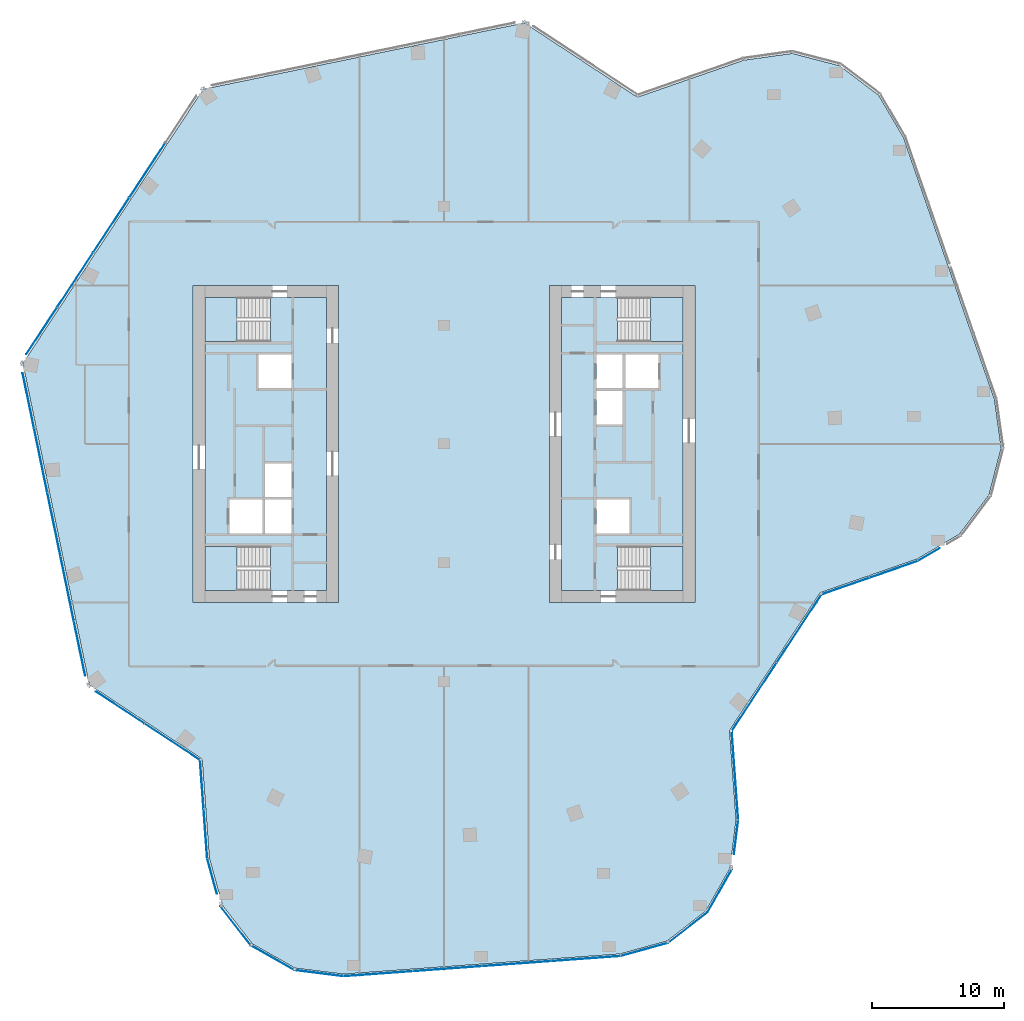
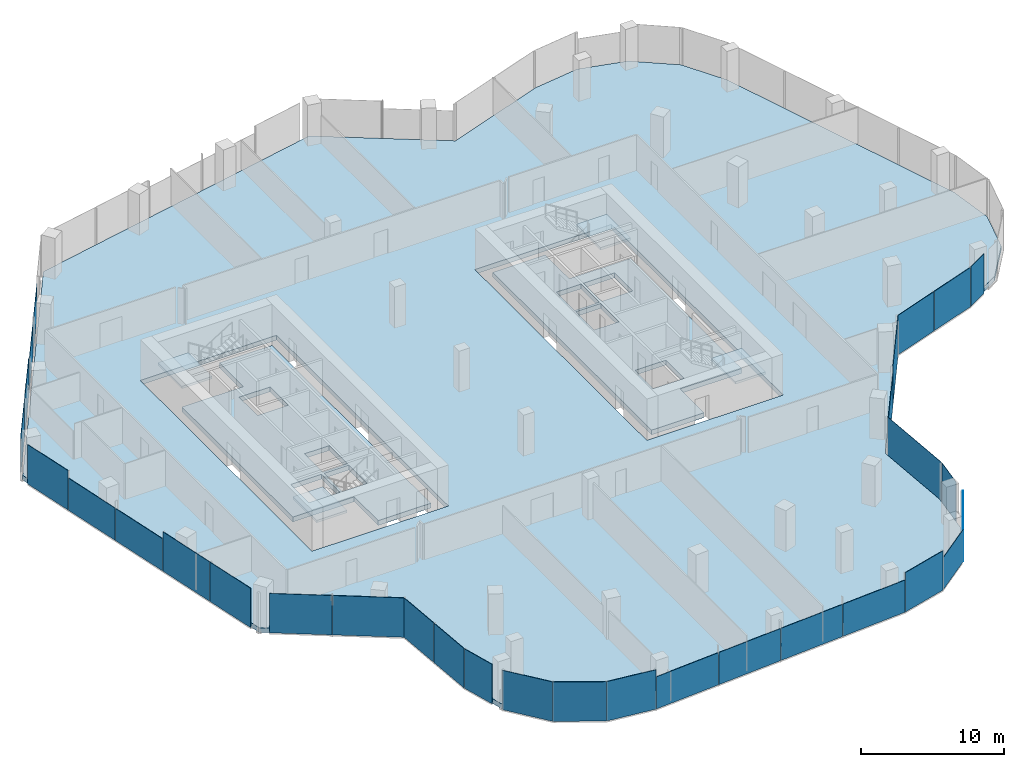
# One storey, part 16 of 24: 31 plates, 7 slabs, 21 elements without a shape of their own.
"""IFC4 building model written with IfcOpenShell, lengths in metres."""

from ifc_helpers import new_model, si_unit, direction, frame, origin, origin_2d, place, context, subcontext, project, spatial, polyline, rectangle, outline, extrude, material, layer, layer_set, type_object, element, aggregate, save


model = new_model("IFC4")

# Units and contexts
model_context = context("Model", 3, precision=1e-05, world=origin(), true_north=direction((0.0, 1.0)))
body_context = subcontext(model_context, "Body", "Model", "MODEL_VIEW")
ifc_project = project(units=[si_unit("LENGTHUNIT", "METRE"), si_unit("AREAUNIT", "SQUARE_METRE"), si_unit("VOLUMEUNIT", "CUBIC_METRE"), si_unit("PLANEANGLEUNIT", "RADIAN"), si_unit("MASSUNIT", "GRAM", prefix="KILO")], contexts=[model_context])

# Site, building, storey
site_placement = place(None, origin())
site = spatial("IfcSite", under=ifc_project, at=site_placement, CompositionType="ELEMENT")
building_placement = place(site_placement, origin())
building = spatial("IfcBuilding", under=site, at=building_placement, Name="Orlundy Tower", CompositionType="ELEMENT")
storey_placement = place(building_placement, frame((0.0, 0.0, 246.0)))
storey = spatial("IfcBuildingStorey", under=building, at=storey_placement, Name="L65", CompositionType="ELEMENT", Elevation=246.0)

# Curtain wall, plates
ifc_material_1 = material(Name="Aluminium bronze anodised", Category="aluminium")
curtain_wall_type = type_object("IfcCurtainWallType", Name="CW1 wall", PredefinedType="NOTDEFINED", material=ifc_material_1)
curtain_wall_1_placement = place(storey_placement, origin())
curtain_wall_1 = element("IfcCurtainWall", 1, at=curtain_wall_1_placement, inside=storey, type_object=curtain_wall_type, Name="CW1 run 00", PredefinedType="NOTDEFINED")
ifc_material_2 = material(Name="Tinted glass", Category="glass")
ifc_layer_1 = layer(ifc_material_2, 0.031982421875)
ifc_layer_set_1 = layer_set([ifc_layer_1], Name="CW1 glass panel 32")
plate_type = type_object("IfcPlateType", Name="CW1 glass panel 32", PredefinedType="CURTAIN_PANEL", material=ifc_layer_set_1)
plate_1_placement = place(storey_placement, frame((34.071044921875, -9.505126953125, -0.2802734375), z_axis=(0.0, 0.0, 1.0), x_axis=(-0.944599002584, -0.328226635601, 0.0)))
plate_1 = element("IfcPlate", 2, at=plate_1_placement, type_object=plate_type, Name="CW1 panel", PredefinedType="CURTAIN_PANEL", context=body_context, shape_type="SweptSolid", body=[
    extrude(rectangle(XDim=3.858154296875, YDim=0.031982421875, at=origin_2d()), origin(), (0.0, 0.0, 1.0), 3.360107421875),
])
plate_2_placement = place(storey_placement, frame((30.401611328125, -10.780029296875, -0.2802734375), z_axis=(0.0, 0.0, 1.0), x_axis=(-0.944599002584, -0.328226635601, 0.0)))
plate_2 = element("IfcPlate", 3, at=plate_2_placement, type_object=plate_type, Name="CW1 panel", PredefinedType="CURTAIN_PANEL", context=body_context, shape_type="SweptSolid", body=[
    extrude(rectangle(XDim=3.8115234375, YDim=0.031982421875, at=origin_2d()), origin(), (0.0, 0.0, 1.0), 3.360107421875),
])
aggregate(curtain_wall_1, [plate_1, plate_2])

curtain_wall_2_placement = place(storey_placement, origin())
curtain_wall_2 = element("IfcCurtainWall", 4, at=curtain_wall_2_placement, inside=storey, type_object=curtain_wall_type, Name="CW1 run 01", PredefinedType="NOTDEFINED")
plate_3_placement = place(storey_placement, frame((26.908447265625, -13.97998046875, -0.2802734375), z_axis=(0.0, 0.0, 1.0), x_axis=(-0.549495877226, -0.835496427827, 0.0)))
plate_3 = element("IfcPlate", 5, at=plate_3_placement, type_object=plate_type, Name="CW1 panel", PredefinedType="CURTAIN_PANEL", context=body_context, shape_type="SweptSolid", body=[
    extrude(rectangle(XDim=6.162353515625, YDim=0.031982421875, at=origin_2d()), origin(), (0.0, 0.0, 1.0), 3.360107421875),
])
plate_4_placement = place(storey_placement, frame((23.49462890625, -19.17041015625, -0.27978515625), z_axis=(0.0, 0.0, 1.0), x_axis=(-0.549495877226, -0.835496427827, 0.0)))
plate_4 = element("IfcPlate", 6, at=plate_4_placement, type_object=plate_type, Name="CW1 panel", PredefinedType="CURTAIN_PANEL", context=body_context, shape_type="SweptSolid", body=[
    extrude(rectangle(XDim=6.162353515625, YDim=0.031982421875, at=origin_2d()), origin(), (0.0, 0.0, 1.0), 2.743896484375),
])
aggregate(curtain_wall_2, [plate_3, plate_4])

# Curtain wall, plate
curtain_wall_3_placement = place(storey_placement, origin())
curtain_wall_3 = element("IfcCurtainWall", 7, at=curtain_wall_3_placement, inside=storey, type_object=curtain_wall_type, Name="CW1 run 02", PredefinedType="NOTDEFINED")
plate_5_placement = place(storey_placement, frame((22.045654296875, -25.095947265625, -0.2802734375), z_axis=(0.0, 0.0, 1.0), x_axis=(0.072660980026, -0.997356697467, 0.0)))
plate_5 = element("IfcPlate", 8, at=plate_5_placement, type_object=plate_type, Name="CW1 panel", PredefinedType="CURTAIN_PANEL", context=body_context, shape_type="SweptSolid", body=[
    extrude(rectangle(XDim=6.72021484375, YDim=0.031982421875, at=origin_2d()), origin(), (0.0, 0.0, 1.0), 3.360107421875),
])
aggregate(curtain_wall_3, [plate_5])

curtain_wall_4_placement = place(storey_placement, origin())
curtain_wall_4 = element("IfcCurtainWall", 9, at=curtain_wall_4_placement, inside=storey, type_object=curtain_wall_type, Name="CW1 run 03", PredefinedType="NOTDEFINED")
plate_6_placement = place(storey_placement, frame((22.12939453125, -29.779296875, -0.2802734375), z_axis=(0.0, 0.0, 1.0), x_axis=(-0.12330413281, -0.992368928792, 0.0)))
plate_6 = element("IfcPlate", 10, at=plate_6_placement, type_object=plate_type, Name="CW1 panel", PredefinedType="CURTAIN_PANEL", context=body_context, shape_type="SweptSolid", body=[
    extrude(rectangle(XDim=2.584228515625, YDim=0.031982421875, at=origin_2d()), origin(), (0.0, 0.0, 1.0), 3.360107421875),
])
aggregate(curtain_wall_4, [plate_6])

curtain_wall_5_placement = place(storey_placement, origin())
curtain_wall_5 = element("IfcCurtainWall", 11, at=curtain_wall_5_placement, inside=storey, type_object=curtain_wall_type, Name="CW1 run 04", PredefinedType="NOTDEFINED")
plate_7_placement = place(storey_placement, frame((20.897705078125, -33.83837890625, -0.2802734375), z_axis=(0.0, 0.0, 1.0), x_axis=(-0.493754430095, -0.869601381531, 0.0)))
plate_7 = element("IfcPlate", 12, at=plate_7_placement, type_object=plate_type, Name="CW1 panel", PredefinedType="CURTAIN_PANEL", context=body_context, shape_type="SweptSolid", body=[
    extrude(rectangle(XDim=3.771484375, YDim=0.031982421875, at=origin_2d()), origin(), (0.0, 0.0, 1.0), 3.360107421875),
])
aggregate(curtain_wall_5, [plate_7])

curtain_wall_6_placement = place(storey_placement, origin())
curtain_wall_6 = element("IfcCurtainWall", 13, at=curtain_wall_6_placement, inside=storey, type_object=curtain_wall_type, Name="CW1 run 05", PredefinedType="NOTDEFINED")
plate_8_placement = place(storey_placement, frame((18.478759765625, -36.637451171875, -0.27978515625), z_axis=(0.0, 0.0, 1.0), x_axis=(-0.788858043661, -0.614575452611, 0.0)))
plate_8 = element("IfcPlate", 14, at=plate_8_placement, type_object=plate_type, Name="CW1 panel", PredefinedType="CURTAIN_PANEL", context=body_context, shape_type="SweptSolid", body=[
    extrude(rectangle(XDim=3.77197265625, YDim=0.031982421875, at=origin_2d()), origin(), (0.0, 0.0, 1.0), 2.743896484375),
])
aggregate(curtain_wall_6, [plate_8])

curtain_wall_7_placement = place(storey_placement, origin())
curtain_wall_7 = element("IfcCurtainWall", 15, at=curtain_wall_7_placement, inside=storey, type_object=curtain_wall_type, Name="CW1 run 06", PredefinedType="NOTDEFINED")
plate_9_placement = place(storey_placement, frame((15.192626953125, -38.29248046875, -0.2802734375), z_axis=(0.0, 0.0, 1.0), x_axis=(-0.96398784948, -0.265946284152, 0.0)))
plate_9 = element("IfcPlate", 16, at=plate_9_placement, type_object=plate_type, Name="CW1 panel", PredefinedType="CURTAIN_PANEL", context=body_context, shape_type="SweptSolid", body=[
    extrude(rectangle(XDim=3.731201171875, YDim=0.031982421875, at=origin_2d()), origin(), (0.0, 0.0, 1.0), 3.360107421875),
])
aggregate(curtain_wall_7, [plate_9])

# Curtain wall, plates
curtain_wall_8_placement = place(storey_placement, origin())
curtain_wall_8 = element("IfcCurtainWall", 17, at=curtain_wall_8_placement, inside=storey, type_object=curtain_wall_type, Name="CW1 run 07", PredefinedType="NOTDEFINED")
plate_10_placement = place(storey_placement, frame((10.743896484375, -38.98681640625, -0.27978515625), z_axis=(0.0, 0.0, 1.0), x_axis=(-0.997356161969, -0.072668329988, 0.0)))
plate_10 = element("IfcPlate", 18, at=plate_10_placement, type_object=plate_type, Name="CW1 panel", PredefinedType="CURTAIN_PANEL", context=body_context, shape_type="SweptSolid", body=[
    extrude(rectangle(XDim=5.2158203125, YDim=0.031982421875, at=origin_2d()), origin(), (0.0, 0.0, 1.0), 2.743896484375),
])
plate_11_placement = place(storey_placement, frame((5.5, -39.368896484375, -0.27978515625), z_axis=(0.0, 0.0, 1.0), x_axis=(-0.997356161969, -0.072668329988, 0.0)))
plate_11 = element("IfcPlate", 19, at=plate_11_placement, type_object=plate_type, Name="CW1 panel", PredefinedType="CURTAIN_PANEL", context=body_context, shape_type="SweptSolid", body=[
    extrude(rectangle(XDim=5.199951171875, YDim=0.031982421875, at=origin_2d()), origin(), (0.0, 0.0, 1.0), 2.743896484375),
])
plate_12_placement = place(storey_placement, frame((0.263916015625, -39.750244140625, -0.27978515625), z_axis=(0.0, 0.0, 1.0), x_axis=(-0.997356161969, -0.072668329988, 0.0)))
plate_12 = element("IfcPlate", 20, at=plate_12_placement, type_object=plate_type, Name="CW1 panel", PredefinedType="CURTAIN_PANEL", context=body_context, shape_type="SweptSolid", body=[
    extrude(rectangle(XDim=5.199951171875, YDim=0.031982421875, at=origin_2d()), origin(), (0.0, 0.0, 1.0), 2.743896484375),
])
plate_13_placement = place(storey_placement, frame((-4.97998046875, -40.13232421875, -0.27978515625), z_axis=(0.0, 0.0, 1.0), x_axis=(-0.997356161969, -0.072668329988, 0.0)))
plate_13 = element("IfcPlate", 21, at=plate_13_placement, type_object=plate_type, Name="CW1 panel", PredefinedType="CURTAIN_PANEL", context=body_context, shape_type="SweptSolid", body=[
    extrude(rectangle(XDim=5.2158203125, YDim=0.031982421875, at=origin_2d()), origin(), (0.0, 0.0, 1.0), 2.743896484375),
])
aggregate(curtain_wall_8, [plate_10, plate_11, plate_12, plate_13])

# Curtain wall, plate
curtain_wall_9_placement = place(storey_placement, origin())
curtain_wall_9 = element("IfcCurtainWall", 22, at=curtain_wall_9_placement, inside=storey, type_object=curtain_wall_type, Name="CW1 run 08", PredefinedType="NOTDEFINED")
plate_14_placement = place(storey_placement, frame((-9.482421875, -40.090087890625, -0.2802734375), z_axis=(0.0, 0.0, 1.0), x_axis=(-0.992339997357, 0.123536754229, 0.0)))
plate_14 = element("IfcPlate", 23, at=plate_14_placement, type_object=plate_type, Name="CW1 panel", PredefinedType="CURTAIN_PANEL", context=body_context, shape_type="SweptSolid", body=[
    extrude(rectangle(XDim=3.73095703125, YDim=0.031982421875, at=origin_2d()), origin(), (0.0, 0.0, 1.0), 3.360107421875),
])
aggregate(curtain_wall_9, [plate_14])

curtain_wall_10_placement = place(storey_placement, origin())
curtain_wall_10 = element("IfcCurtainWall", 24, at=curtain_wall_10_placement, inside=storey, type_object=curtain_wall_type, Name="CW1 run 09", PredefinedType="NOTDEFINED")
plate_15_placement = place(storey_placement, frame((-12.973388671875, -38.9287109375, -0.2802734375), z_axis=(0.0, 0.0, 1.0), x_axis=(-0.869601381531, 0.493754430095, 0.0)))
plate_15 = element("IfcPlate", 25, at=plate_15_placement, type_object=plate_type, Name="CW1 panel", PredefinedType="CURTAIN_PANEL", context=body_context, shape_type="SweptSolid", body=[
    extrude(rectangle(XDim=3.771484375, YDim=0.031982421875, at=origin_2d()), origin(), (0.0, 0.0, 1.0), 3.360107421875),
])
aggregate(curtain_wall_10, [plate_15])

curtain_wall_11_placement = place(storey_placement, origin())
curtain_wall_11 = element("IfcCurtainWall", 26, at=curtain_wall_11_placement, inside=storey, type_object=curtain_wall_type, Name="CW1 run 010", PredefinedType="NOTDEFINED")
plate_16_placement = place(storey_placement, frame((-15.7724609375, -36.509765625, -0.2802734375), z_axis=(0.0, 0.0, 1.0), x_axis=(-0.614575452611, 0.788858043661, 0.0)))
plate_16 = element("IfcPlate", 27, at=plate_16_placement, type_object=plate_type, Name="CW1 panel", PredefinedType="CURTAIN_PANEL", context=body_context, shape_type="SweptSolid", body=[
    extrude(rectangle(XDim=3.77197265625, YDim=0.031982421875, at=origin_2d()), origin(), (0.0, 0.0, 1.0), 3.360107421875),
])
aggregate(curtain_wall_11, [plate_16])

curtain_wall_12_placement = place(storey_placement, origin())
curtain_wall_12 = element("IfcCurtainWall", 28, at=curtain_wall_12_placement, inside=storey, type_object=curtain_wall_type, Name="CW1 run 011", PredefinedType="NOTDEFINED")
plate_17_placement = place(storey_placement, frame((-17.559814453125, -32.742431640625, -0.2802734375), z_axis=(0.0, 0.0, 1.0), x_axis=(-0.265764722051, 0.964037920682, 0.0)))
plate_17 = element("IfcPlate", 29, at=plate_17_placement, type_object=plate_type, Name="CW1 panel", PredefinedType="CURTAIN_PANEL", context=body_context, shape_type="SweptSolid", body=[
    extrude(rectangle(XDim=2.730712890625, YDim=0.031982421875, at=origin_2d()), origin(), (0.0, 0.0, 1.0), 3.360107421875),
])
aggregate(curtain_wall_12, [plate_17])

# Curtain wall, plates
curtain_wall_13_placement = place(storey_placement, origin())
curtain_wall_13 = element("IfcCurtainWall", 30, at=curtain_wall_13_placement, inside=storey, type_object=curtain_wall_type, Name="CW1 run 012", PredefinedType="NOTDEFINED")
plate_18_placement = place(storey_placement, frame((-18.06689453125, -29.515625, -0.2802734375), z_axis=(0.0, 0.0, 1.0), x_axis=(-0.072746976548, 0.997350428587, 0.0)))
plate_18 = element("IfcPlate", 31, at=plate_18_placement, type_object=plate_type, Name="CW1 panel", PredefinedType="CURTAIN_PANEL", context=body_context, shape_type="SweptSolid", body=[
    extrude(rectangle(XDim=3.732421875, YDim=0.031982421875, at=origin_2d()), origin(), (0.0, 0.0, 1.0), 3.360107421875),
])
plate_19_placement = place(storey_placement, frame((-18.339599609375, -25.779052734375, -0.2802734375), z_axis=(0.0, 0.0, 1.0), x_axis=(-0.072746976548, 0.997350428587, 0.0)))
plate_19 = element("IfcPlate", 32, at=plate_19_placement, type_object=plate_type, Name="CW1 panel", PredefinedType="CURTAIN_PANEL", context=body_context, shape_type="SweptSolid", body=[
    extrude(rectangle(XDim=3.66064453125, YDim=0.031982421875, at=origin_2d()), origin(), (0.0, 0.0, 1.0), 3.360107421875),
])
aggregate(curtain_wall_13, [plate_18, plate_19])

curtain_wall_14_placement = place(storey_placement, origin())
curtain_wall_14 = element("IfcCurtainWall", 33, at=curtain_wall_14_placement, inside=storey, type_object=curtain_wall_type, Name="CW1 run 013", PredefinedType="NOTDEFINED")
plate_20_placement = place(storey_placement, frame((-20.56640625, -22.576416015625, -0.2802734375), z_axis=(0.0, 0.0, 1.0), x_axis=(-0.835476099694, 0.54952678446, 0.0)))
plate_20 = element("IfcPlate", 34, at=plate_20_placement, type_object=plate_type, Name="CW1 panel", PredefinedType="CURTAIN_PANEL", context=body_context, shape_type="SweptSolid", body=[
    extrude(rectangle(XDim=5.01220703125, YDim=0.031982421875, at=origin_2d()), origin(), (0.0, 0.0, 1.0), 3.360107421875),
])
plate_21_placement = place(storey_placement, frame((-24.5302734375, -19.96923828125, -0.2802734375), z_axis=(0.0, 0.0, 1.0), x_axis=(-0.835476099694, 0.54952678446, 0.0)))
plate_21 = element("IfcPlate", 35, at=plate_21_placement, type_object=plate_type, Name="CW1 panel", PredefinedType="CURTAIN_PANEL", context=body_context, shape_type="SweptSolid", body=[
    extrude(rectangle(XDim=4.376708984375, YDim=0.031982421875, at=origin_2d()), origin(), (0.0, 0.0, 1.0), 3.360107421875),
])
aggregate(curtain_wall_14, [plate_20, plate_21])

curtain_wall_15_placement = place(storey_placement, origin())
curtain_wall_15 = element("IfcCurtainWall", 36, at=curtain_wall_15_placement, inside=storey, type_object=curtain_wall_type, Name="CW1 run 014", PredefinedType="NOTDEFINED")
plate_22_placement = place(storey_placement, frame((-27.60009765625, -15.496337890625, -0.2802734375), z_axis=(0.0, 0.0, 1.0), x_axis=(-0.202233038095, 0.979337428215, 0.0)))
plate_22 = element("IfcPlate", 37, at=plate_22_placement, type_object=plate_type, Name="CW1 panel", PredefinedType="CURTAIN_PANEL", context=body_context, shape_type="SweptSolid", body=[
    extrude(rectangle(XDim=4.228271484375, YDim=0.031982421875, at=origin_2d()), origin(), (0.0, 0.0, 1.0), 3.360107421875),
])
plate_23_placement = place(storey_placement, frame((-28.535400390625, -10.967529296875, -0.2802734375), z_axis=(0.0, 0.0, 1.0), x_axis=(-0.202233038095, 0.979337428215, 0.0)))
plate_23 = element("IfcPlate", 38, at=plate_23_placement, type_object=plate_type, Name="CW1 panel", PredefinedType="CURTAIN_PANEL", context=body_context, shape_type="SweptSolid", body=[
    extrude(rectangle(XDim=4.92041015625, YDim=0.031982421875, at=origin_2d()), origin(), (0.0, 0.0, 1.0), 3.360107421875),
])
plate_24_placement = place(storey_placement, frame((-29.54052734375, -6.099609375, -0.27978515625), z_axis=(0.0, 0.0, 1.0), x_axis=(-0.202233038095, 0.979337428215, 0.0)))
plate_24 = element("IfcPlate", 39, at=plate_24_placement, type_object=plate_type, Name="CW1 panel", PredefinedType="CURTAIN_PANEL", context=body_context, shape_type="SweptSolid", body=[
    extrude(rectangle(XDim=4.92041015625, YDim=0.031982421875, at=origin_2d()), origin(), (0.0, 0.0, 1.0), 2.743896484375),
])
plate_25_placement = place(storey_placement, frame((-30.5458984375, -1.23193359375, -0.27978515625), z_axis=(0.0, 0.0, 1.0), x_axis=(-0.202233038095, 0.979337428215, 0.0)))
plate_25 = element("IfcPlate", 40, at=plate_25_placement, type_object=plate_type, Name="CW1 panel", PredefinedType="CURTAIN_PANEL", context=body_context, shape_type="SweptSolid", body=[
    extrude(rectangle(XDim=4.92041015625, YDim=0.031982421875, at=origin_2d()), origin(), (0.0, 0.0, 1.0), 2.743896484375),
])
plate_26_placement = place(storey_placement, frame((-31.48095703125, 3.297119140625, -0.2802734375), z_axis=(0.0, 0.0, 1.0), x_axis=(-0.202233038095, 0.979337428215, 0.0)))
plate_26 = element("IfcPlate", 41, at=plate_26_placement, type_object=plate_type, Name="CW1 panel", PredefinedType="CURTAIN_PANEL", context=body_context, shape_type="SweptSolid", body=[
    extrude(rectangle(XDim=4.228759765625, YDim=0.031982421875, at=origin_2d()), origin(), (0.0, 0.0, 1.0), 3.360107421875),
])
aggregate(curtain_wall_15, [plate_22, plate_23, plate_24, plate_25, plate_26])

curtain_wall_16_placement = place(storey_placement, origin())
curtain_wall_16 = element("IfcCurtainWall", 42, at=curtain_wall_16_placement, inside=storey, type_object=curtain_wall_type, Name="CW1 run 015", PredefinedType="NOTDEFINED")
plate_27_placement = place(storey_placement, frame((-30.47412109375, 8.55859375, -0.2802734375), z_axis=(0.0, 0.0, 1.0), x_axis=(0.5495174705, 0.835482225793, 0.0)))
plate_27 = element("IfcPlate", 43, at=plate_27_placement, type_object=plate_type, Name="CW1 panel", PredefinedType="CURTAIN_PANEL", context=body_context, shape_type="SweptSolid", body=[
    extrude(rectangle(XDim=4.228759765625, YDim=0.031982421875, at=origin_2d()), origin(), (0.0, 0.0, 1.0), 3.360107421875),
])
plate_28_placement = place(storey_placement, frame((-27.932861328125, 12.42236328125, -0.2802734375), z_axis=(0.0, 0.0, 1.0), x_axis=(0.5495174705, 0.835482225793, 0.0)))
plate_28 = element("IfcPlate", 44, at=plate_28_placement, type_object=plate_type, Name="CW1 panel", PredefinedType="CURTAIN_PANEL", context=body_context, shape_type="SweptSolid", body=[
    extrude(rectangle(XDim=4.920654296875, YDim=0.031982421875, at=origin_2d()), origin(), (0.0, 0.0, 1.0), 3.360107421875),
])
plate_29_placement = place(storey_placement, frame((-25.201416015625, 16.5751953125, -0.27978515625), z_axis=(0.0, 0.0, 1.0), x_axis=(0.5495174705, 0.835482225793, 0.0)))
plate_29 = element("IfcPlate", 45, at=plate_29_placement, type_object=plate_type, Name="CW1 panel", PredefinedType="CURTAIN_PANEL", context=body_context, shape_type="SweptSolid", body=[
    extrude(rectangle(XDim=4.920654296875, YDim=0.031982421875, at=origin_2d()), origin(), (0.0, 0.0, 1.0), 2.743896484375),
])
plate_30_placement = place(storey_placement, frame((-22.47021484375, 20.72802734375, -0.27978515625), z_axis=(0.0, 0.0, 1.0), x_axis=(0.5495174705, 0.835482225793, 0.0)))
plate_30 = element("IfcPlate", 46, at=plate_30_placement, type_object=plate_type, Name="CW1 panel", PredefinedType="CURTAIN_PANEL", context=body_context, shape_type="SweptSolid", body=[
    extrude(rectangle(XDim=4.920654296875, YDim=0.031982421875, at=origin_2d()), origin(), (0.0, 0.0, 1.0), 2.743896484375),
])
aggregate(curtain_wall_16, [plate_27, plate_28, plate_29, plate_30])

# Curtain wall, plate
curtain_wall_17_placement = place(storey_placement, origin())
curtain_wall_17 = element("IfcCurtainWall", 47, at=curtain_wall_17_placement, inside=storey, type_object=curtain_wall_type, Name="CW1 run 027", PredefinedType="NOTDEFINED")
plate_31_placement = place(storey_placement, frame((36.74658203125, -8.37646484375, -0.2802734375), z_axis=(0.0, 0.0, 1.0), x_axis=(-0.862287730604, -0.506418670322, 0.0)))
plate_31 = element("IfcPlate", 48, at=plate_31_placement, type_object=plate_type, Name="CW1 panel", PredefinedType="CURTAIN_PANEL", context=body_context, shape_type="SweptSolid", body=[
    extrude(rectangle(XDim=1.873779296875, YDim=0.031982421875, at=origin_2d()), origin(), (0.0, 0.0, 1.0), 3.360107421875),
])
aggregate(curtain_wall_17, [plate_31])

# Slabs
ifc_material_3 = material(Name="Concrete C50/60", Category="concrete")
ifc_layer_2 = layer(ifc_material_3, 0.409912109375)
ifc_layer_set_2 = layer_set([ifc_layer_2], Name="Core Floor Slab 410")
slab_type_1 = type_object("IfcSlabType", Name="Core Floor Slab 410", PredefinedType="FLOOR", material=ifc_layer_set_2)
slab_1_placement = place(storey_placement, frame((0.0, 0.0, -0.409912109375)))
element("IfcSlab", 49, at=slab_1_placement, inside=storey, type_object=slab_type_1, Name="Core floor W49", PredefinedType="FLOOR", context=body_context, shape_type="SweptSolid", body=[
    extrude(outline(polyline([(-18.10009765625, 7.75), (-13.14501953125, 7.75), (-13.14501953125, 11.10009765625), (-8.89990234375, 11.10009765625), (-8.89990234375, -11.10009765625), (-13.14501953125, -11.10009765625), (-13.14501953125, -7.75), (-18.10009765625, -7.75), (-18.10009765625, 7.75)]), holes=[polyline([(-13.5400390625, -4.22509765625), (-13.5400390625, -6.77490234375), (-11.5400390625, -6.77490234375), (-11.5400390625, -4.22509765625), (-13.5400390625, -4.22509765625)]), polyline([(-13.739990234375, -4.22509765625), (-16.239990234375, -4.22509765625), (-16.239990234375, -6.77490234375), (-13.739990234375, -6.77490234375), (-13.739990234375, -4.22509765625)]), polyline([(-11.5400390625, -4.02490234375), (-11.5400390625, -1.47509765625), (-13.5400390625, -1.47509765625), (-13.5400390625, -4.02490234375), (-11.5400390625, -4.02490234375)]), polyline([(-14.0400390625, 4.22509765625), (-11.5400390625, 4.22509765625), (-11.5400390625, 6.77490234375), (-14.0400390625, 6.77490234375), (-14.0400390625, 4.22509765625)])]), origin(), (0.0, 0.0, 1.0), 0.409912109375),
])
slab_2_placement = place(storey_placement, frame((0.0, 0.0, -0.409912109375)))
element("IfcSlab", 50, at=slab_2_placement, inside=storey, type_object=slab_type_1, Name="Core floor E49", PredefinedType="FLOOR", context=body_context, shape_type="SweptSolid", body=[
    extrude(outline(polyline([(18.10009765625, -7.75), (13.14501953125, -7.75), (13.14501953125, -11.10009765625), (8.89990234375, -11.10009765625), (8.89990234375, 11.10009765625), (13.14501953125, 11.10009765625), (13.14501953125, 7.75), (18.10009765625, 7.75), (18.10009765625, -7.75)]), holes=[polyline([(13.5400390625, 4.22509765625), (13.5400390625, 6.77490234375), (11.5400390625, 6.77490234375), (11.5400390625, 4.22509765625), (13.5400390625, 4.22509765625)]), polyline([(13.739990234375, 4.22509765625), (16.239990234375, 4.22509765625), (16.239990234375, 6.77490234375), (13.739990234375, 6.77490234375), (13.739990234375, 4.22509765625)]), polyline([(11.5400390625, 4.02490234375), (11.5400390625, 1.47509765625), (13.5400390625, 1.47509765625), (13.5400390625, 4.02490234375), (11.5400390625, 4.02490234375)]), polyline([(14.0400390625, -4.22509765625), (11.5400390625, -4.22509765625), (11.5400390625, -6.77490234375), (14.0400390625, -6.77490234375), (14.0400390625, -4.22509765625)])]), origin(), (0.0, 0.0, 1.0), 0.409912109375),
])

# Stair, slab
ifc_material_4 = material(Name="Concrete C50/60", Category="concrete")
stair_type = type_object("IfcStairType", Name="Exit Stair 20 risers", PredefinedType="HALF_TURN_STAIR", material=ifc_material_4)
stair_1_placement = place(storey_placement, origin())
stair_1 = element("IfcStair", 51, at=stair_1_placement, inside=storey, type_object=stair_type, Name="L65 Exit Stair ST-W1", PredefinedType="HALF_TURN_STAIR")
ifc_material_5 = material(Name="Concrete C50/60", Category="concrete")
ifc_layer_3 = layer(ifc_material_5, 0.199951171875)
ifc_layer_set_3 = layer_set([ifc_layer_3], Name="Exit Stair Landing")
slab_type_2 = type_object("IfcSlabType", Name="Exit Stair Landing", PredefinedType="LANDING", material=ifc_layer_set_3)
slab_3_placement = place(storey_placement, frame((0.0, 0.0, 1.550048828125)))
slab_3 = element("IfcSlab", 52, at=slab_3_placement, type_object=slab_type_2, Name="ST-W1 landing 1", PredefinedType="LANDING", context=body_context, shape_type="SweptSolid", body=[
    extrude(outline(polyline([(-15.659912109375, 11.10009765625), (-18.10009765625, 11.10009765625), (-18.10009765625, 7.75), (-15.659912109375, 7.75), (-15.659912109375, 11.10009765625)])), origin(), (0.0, 0.0, 1.0), 0.199951171875),
])
aggregate(stair_1, [slab_3])

stair_2_placement = place(storey_placement, origin())
stair_2 = element("IfcStair", 53, at=stair_2_placement, inside=storey, type_object=stair_type, Name="L65 Exit Stair ST-W2", PredefinedType="HALF_TURN_STAIR")
slab_4_placement = place(storey_placement, frame((0.0, 0.0, 1.550048828125)))
slab_4 = element("IfcSlab", 54, at=slab_4_placement, type_object=slab_type_2, Name="ST-W2 landing 1", PredefinedType="LANDING", context=body_context, shape_type="SweptSolid", body=[
    extrude(outline(polyline([(-15.659912109375, -7.75), (-18.10009765625, -7.75), (-18.10009765625, -11.10009765625), (-15.659912109375, -11.10009765625), (-15.659912109375, -7.75)])), origin(), (0.0, 0.0, 1.0), 0.199951171875),
])
aggregate(stair_2, [slab_4])

stair_3_placement = place(storey_placement, origin())
stair_3 = element("IfcStair", 55, at=stair_3_placement, inside=storey, type_object=stair_type, Name="L65 Exit Stair ST-E1", PredefinedType="HALF_TURN_STAIR")
slab_5_placement = place(storey_placement, frame((0.0, 0.0, 1.550048828125)))
slab_5 = element("IfcSlab", 56, at=slab_5_placement, type_object=slab_type_2, Name="ST-E1 landing 1", PredefinedType="LANDING", context=body_context, shape_type="SweptSolid", body=[
    extrude(outline(polyline([(15.659912109375, -11.10009765625), (18.10009765625, -11.10009765625), (18.10009765625, -7.75), (15.659912109375, -7.75), (15.659912109375, -11.10009765625)])), origin(), (0.0, 0.0, 1.0), 0.199951171875),
])
aggregate(stair_3, [slab_5])

stair_4_placement = place(storey_placement, origin())
stair_4 = element("IfcStair", 57, at=stair_4_placement, inside=storey, type_object=stair_type, Name="L65 Exit Stair ST-E2", PredefinedType="HALF_TURN_STAIR")
slab_6_placement = place(storey_placement, frame((0.0, 0.0, 1.550048828125)))
slab_6 = element("IfcSlab", 58, at=slab_6_placement, type_object=slab_type_2, Name="ST-E2 landing 1", PredefinedType="LANDING", context=body_context, shape_type="SweptSolid", body=[
    extrude(outline(polyline([(15.659912109375, 7.75), (18.10009765625, 7.75), (18.10009765625, 11.10009765625), (15.659912109375, 11.10009765625), (15.659912109375, 7.75)])), origin(), (0.0, 0.0, 1.0), 0.199951171875),
])
aggregate(stair_4, [slab_6])

# Slab
ifc_material_6 = material(Name="Concrete C45/55", Category="concrete")
ifc_layer_4 = layer(ifc_material_6, 0.39990234375)
ifc_layer_set_4 = layer_set([ifc_layer_4], Name="FLOOR SLAB THICK 400 C45/55")
slab_type_3 = type_object("IfcSlabType", Name="FLOOR SLAB THICK 400 C45/55", PredefinedType="FLOOR", material=ifc_layer_set_4)
slab_7_placement = place(storey_placement, frame((0.0, 0.0, -0.39990234375)))
element("IfcSlab", 59, at=slab_7_placement, inside=storey, type_object=slab_type_3, Name="Floor slab L65", PredefinedType="FLOOR", context=body_context, shape_type="SweptSolid", body=[
    extrude(outline(polyline([(28.4951171875, -11.26904296875), (21.634033203125, -21.700927734375), (22.126953125, -28.468017578125), (21.669921875, -32.14599609375), (19.840087890625, -35.368896484375), (16.916015625, -37.64697265625), (13.342041015625, -38.633056640625), (-7.60205078125, -40.158935546875), (-11.281005859375, -39.700927734375), (-14.50390625, -37.87109375), (-16.781982421875, -34.947021484375), (-17.76708984375, -31.3740234375), (-18.31494140625, -23.861083984375), (-26.866943359375, -18.236083984375), (-31.89306640625, 6.10302734375), (-18.236083984375, 26.866943359375), (6.10302734375, 31.89306640625), (14.656005859375, 26.26806640625), (22.715087890625, 29.069091796875), (26.386962890625, 29.580078125), (29.97412109375, 28.64599609375), (32.930908203125, 26.410888671875), (34.80810546875, 23.215087890625), (41.701904296875, 3.37890625), (42.212890625, -0.29296875), (41.280029296875, -3.8798828125), (39.0439453125, -6.8369140625), (35.847900390625, -8.714111328125), (28.4951171875, -11.26904296875)]), holes=[polyline([(-8.0, -12.0), (-8.0, 12.0), (-19.0, 12.0), (-19.0, -12.0), (-8.0, -12.0)]), polyline([(19.0, -12.0), (19.0, 12.0), (8.0, 12.0), (8.0, -12.0), (19.0, -12.0)])]), origin(), (0.0, 0.0, 1.0), 0.39990234375),
])

save(model, "model.ifc")
